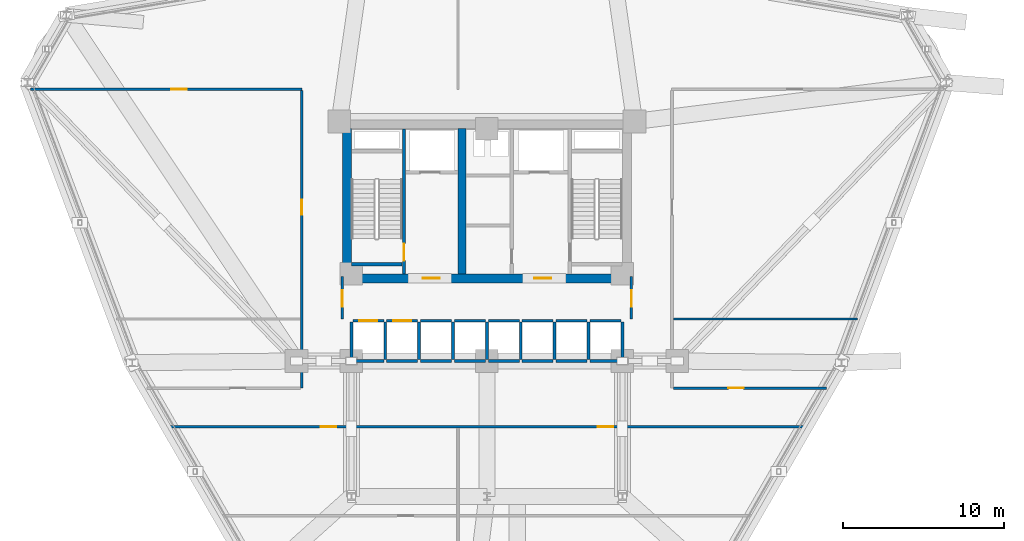
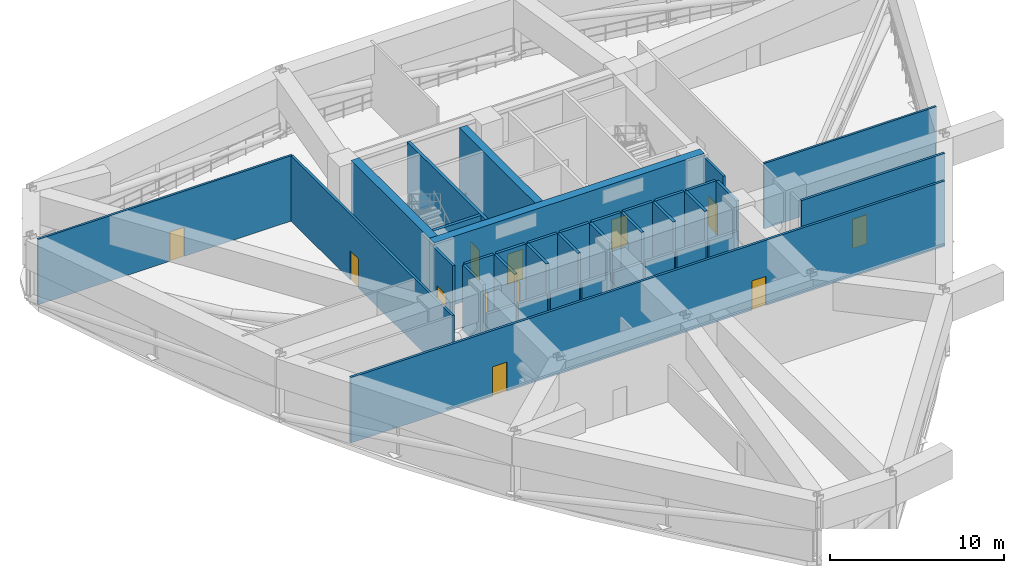
# One storey, part 8 of 12: 37 walls, 12 doors, 12 openings.
"""IFC4 building model written with IfcOpenShell, lengths in metres."""

from ifc_helpers import new_model, si_unit, derived_unit, direction, frame, frame_2d, origin, place, context, subcontext, project, spatial, rectangle, extrude, material, layer, layer_set, type_object, element, fill, save


model = new_model("IFC4")

# Units and contexts
model_context = context("Model", 3, precision=1e-05, world=origin(), true_north=direction((0.0, 1.0)))
body_context = subcontext(model_context, "Body", "Model", "MODEL_VIEW")
ifc_project = project(units=[si_unit("LENGTHUNIT", "METRE"), si_unit("AREAUNIT", "SQUARE_METRE"), si_unit("VOLUMEUNIT", "CUBIC_METRE"), si_unit("PLANEANGLEUNIT", "RADIAN"), si_unit("MASSUNIT", "GRAM", prefix="KILO"), derived_unit("THERMALTRANSMITTANCEUNIT", [(si_unit("POWERUNIT", "WATT"), 1), (si_unit("LENGTHUNIT", "METRE"), -2), (si_unit("THERMODYNAMICTEMPERATUREUNIT", "KELVIN"), -1)])], contexts=[model_context])

# Site, building, storey
site_placement = place(None, origin())
site = spatial("IfcSite", under=ifc_project, at=site_placement, CompositionType="ELEMENT")
building_placement = place(site_placement, origin())
building = spatial("IfcBuilding", under=site, at=building_placement, Name="Korsvarv Bourse and Concert Hall", CompositionType="ELEMENT")
storey_placement = place(building_placement, frame((0.0, 0.0, 59.10009765625)))
storey = spatial("IfcBuildingStorey", under=building, at=storey_placement, Name="L14", CompositionType="ELEMENT", Elevation=59.10009765625)

# Wall, opening, door
ifc_material_1 = material(Name="Concrete C50/60", Category="concrete")
ifc_layer_1 = layer(ifc_material_1, 0.3798828125)
ifc_layer_set_1 = layer_set([ifc_layer_1], Name="Concrete C50/60")
wall_type_1 = type_object("IfcWallType", Name="WL-CORE-380", PredefinedType="SHEAR", material=ifc_layer_set_1)
wall_1_placement = place(storey_placement, frame((30.860107421875, 37.81005859375, 0.0), z_axis=(0.0, 0.0, 1.0), x_axis=(0.0, 1.0, 0.0)))
wall_1 = element("IfcWall", 1, at=wall_1_placement, inside=storey, type_object=wall_type_1, Name="L14 stair shaft structural wall W-L14-ST1-E", PredefinedType="SHEAR", context=body_context, shape_type="SweptSolid", body=[
    extrude(rectangle(XDim=8.97998046875, YDim=0.199951171875, at=frame_2d((4.489990234375, 0.0))), origin(), (0.0, 0.0, 1.0), 4.7998046875),
])
opening_1_placement = place(wall_1_placement, frame((0.820068359375, 0.0, 0.0)))
opening_1 = element("IfcOpeningElement", 2, at=opening_1_placement, cuts=wall_1, Name="Opening D-01", PredefinedType="OPENING", context=body_context, shape_type="SweptSolid", body=[
    extrude(rectangle(XDim=1.050048828125, YDim=2.10009765625, at=frame_2d((0.52490234375, 1.050048828125))), frame((0.0, 0.10986328125, 0.0), z_axis=(0.0, -1.0, 0.0), x_axis=(1.0, 0.0, 0.0)), (0.0, 0.0, 1.0), 0.219970703125),
])
ifc_material_2 = material(Name="Steel S355 fire door", Category="steel")
door_type_1 = type_object("IfcDoorType", Name="DR-FD60", OperationType="NOTDEFINED", PredefinedType="DOOR", material=ifc_material_2)
door_1_placement = place(opening_1_placement, origin())
door_1 = element("IfcDoor", 3, at=door_1_placement, inside=storey, type_object=door_type_1, Name="L14 interior door DR-L14-ST1", OperationType="SINGLE_SWING_RIGHT", OverallHeight=2.10009765625, OverallWidth=1.050048828125, PredefinedType="DOOR", context=body_context, shape_type="SweptSolid", body=[
    extrude(rectangle(XDim=1.050048828125, YDim=2.10009765625, at=frame_2d((0.52490234375, 1.050048828125))), frame((0.0, 0.02490234375, 0.0), z_axis=(0.0, -1.0, 0.0), x_axis=(1.0, 0.0, 0.0)), (0.0, 0.0, 1.0), 0.050048828125),
])
fill(opening_1, door_1)

# Wall
wall_2_placement = place(storey_placement, frame((27.610107421875, 38.39990234375, 0.0), z_axis=(0.0, 0.0, 1.0), x_axis=(1.0, 0.0, 0.0)))
element("IfcWall", 4, at=wall_2_placement, inside=storey, type_object=wall_type_1, Name="L14 stair shaft structural wall W-L14-ST1-S", PredefinedType="SHEAR", context=body_context, shape_type="SweptSolid", body=[
    extrude(rectangle(XDim=3.139892578125, YDim=0.199951171875, at=frame_2d((1.56982421875, 0.0))), origin(), (0.0, 0.0, 1.0), 4.7998046875),
])

# Wall, openings, doors
ifc_material_3 = material(Name="Concrete C60/75", Category="concrete")
ifc_layer_2 = layer(ifc_material_3, 0.550048828125)
ifc_layer_set_2 = layer_set([ifc_layer_2], Name="Concrete C60/75")
wall_type_2 = type_object("IfcWallType", Name="WL-CORE-550", PredefinedType="SHEAR", material=ifc_layer_set_2)
wall_3_placement = place(storey_placement, frame((27.050048828125, 37.52490234375, 0.0), z_axis=(0.0, 0.0, 1.0), x_axis=(1.0, 0.0, 0.0)))
wall_3 = element("IfcWall", 5, at=wall_3_placement, inside=storey, type_object=wall_type_2, Name="L14 South Core Shear Wall", PredefinedType="SHEAR", context=body_context, shape_type="SweptSolid", body=[
    extrude(rectangle(XDim=17.89990234375, YDim=0.550048828125, at=frame_2d((8.949951171875, 0.0))), origin(), (0.0, 0.0, 1.0), 4.7998046875),
])
opening_2_placement = place(wall_3_placement, frame((4.97509765625, 0.0, 0.0)))
opening_2 = element("IfcOpeningElement", 6, at=opening_2_placement, cuts=wall_3, Name="Opening D-01", PredefinedType="OPENING", context=body_context, shape_type="SweptSolid", body=[
    extrude(rectangle(XDim=1.050048828125, YDim=2.10009765625, at=frame_2d((0.52490234375, 1.050048828125))), frame((0.0, 0.28515625, 0.0), z_axis=(0.0, -1.0, 0.0), x_axis=(1.0, 0.0, 0.0)), (0.0, 0.0, 1.0), 0.570068359375),
])
opening_3_placement = place(wall_3_placement, frame((11.875, 0.0, 0.0)))
opening_3 = element("IfcOpeningElement", 7, at=opening_3_placement, cuts=wall_3, Name="Opening D-01", PredefinedType="OPENING", context=body_context, shape_type="SweptSolid", body=[
    extrude(rectangle(XDim=1.050048828125, YDim=2.10009765625, at=frame_2d((0.52490234375, 1.050048828125))), frame((0.0, 0.28515625, 0.0), z_axis=(0.0, -1.0, 0.0), x_axis=(1.0, 0.0, 0.0)), (0.0, 0.0, 1.0), 0.570068359375),
])
door_2_placement = place(opening_2_placement, frame((1.050048828125, 0.0, 0.0), z_axis=(0.0, 0.0, 1.0), x_axis=(-1.0, 0.0, 0.0)))
door_2 = element("IfcDoor", 8, at=door_2_placement, inside=storey, type_object=door_type_1, Name="L14 firefighting lobby fire door DR-L14-FFLW", OperationType="SINGLE_SWING_LEFT", OverallHeight=2.10009765625, OverallWidth=1.050048828125, PredefinedType="DOOR", context=body_context, shape_type="SweptSolid", body=[
    extrude(rectangle(XDim=1.050048828125, YDim=2.10009765625, at=frame_2d((0.52490234375, 1.050048828125))), frame((0.0, 0.02490234375, 0.0), z_axis=(0.0, -1.0, 0.0), x_axis=(1.0, 0.0, 0.0)), (0.0, 0.0, 1.0), 0.050048828125),
])
fill(opening_2, door_2)
door_3_placement = place(opening_3_placement, frame((1.050048828125, 0.0, 0.0), z_axis=(0.0, 0.0, 1.0), x_axis=(-1.0, 0.0, 0.0)))
door_3 = element("IfcDoor", 9, at=door_3_placement, inside=storey, type_object=door_type_1, Name="L14 firefighting lobby fire door DR-L14-FFLE", OperationType="SINGLE_SWING_RIGHT", OverallHeight=2.10009765625, OverallWidth=1.050048828125, PredefinedType="DOOR", context=body_context, shape_type="SweptSolid", body=[
    extrude(rectangle(XDim=1.050048828125, YDim=2.10009765625, at=frame_2d((0.52490234375, 1.050048828125))), frame((0.0, 0.02490234375, 0.0), z_axis=(0.0, -1.0, 0.0), x_axis=(1.0, 0.0, 0.0)), (0.0, 0.0, 1.0), 0.050048828125),
])
fill(opening_3, door_3)

# Wall
wall_4_placement = place(storey_placement, frame((27.324951171875, 37.800048828125, 0.0), z_axis=(0.0, 0.0, 1.0), x_axis=(0.0, 1.0, 0.0)))
element("IfcWall", 10, at=wall_4_placement, inside=storey, type_object=wall_type_2, Name="L14 West Core Shear Wall", PredefinedType="SHEAR", context=body_context, shape_type="SweptSolid", body=[
    extrude(rectangle(XDim=9.0, YDim=0.550048828125, at=frame_2d((4.5, 0.0))), origin(), (0.0, 0.0, 1.0), 4.7998046875),
])

# Wall, opening, door
ifc_material_4 = material(Name="Double-stud fire-rated acoustic partition", Category="gypsum")
ifc_layer_3 = layer(ifc_material_4, 0.159912109375)
ifc_layer_set_3 = layer_set([ifc_layer_3], Name="Double-stud fire-rated acoustic partition")
wall_type_3 = type_object("IfcWallType", Name="WL-INT-EI60", PredefinedType="PARTITIONING", material=ifc_layer_set_3)
wall_5_placement = place(storey_placement, frame((27.0400390625, 35.0, 0.0), z_axis=(0.0, 0.0, 1.0), x_axis=(0.0, 1.0, 0.0)))
wall_5 = element("IfcWall", 11, at=wall_5_placement, inside=storey, type_object=wall_type_3, Name="L14 interior partition wall W-L14-LOB-W", PredefinedType="PARTITIONING", context=body_context, shape_type="SweptSolid", body=[
    extrude(rectangle(XDim=2.64990234375, YDim=0.159912109375, at=frame_2d((1.324951171875, 0.0))), origin(), (0.0, 0.0, 1.0), 4.579833984375),
])
opening_4_placement = place(wall_5_placement, frame((0.75, 0.0, 0.0)))
opening_4 = element("IfcOpeningElement", 12, at=opening_4_placement, cuts=wall_5, Name="Opening D-01", PredefinedType="OPENING", context=body_context, shape_type="SweptSolid", body=[
    extrude(rectangle(XDim=1.050048828125, YDim=2.10009765625, at=frame_2d((0.52490234375, 1.050048828125))), frame((0.0, 0.08984375, 0.0), z_axis=(0.0, -1.0, 0.0), x_axis=(1.0, 0.0, 0.0)), (0.0, 0.0, 1.0), 0.179931640625),
])
door_4_placement = place(opening_4_placement, frame((1.050048828125, 0.0, 0.0), z_axis=(0.0, 0.0, 1.0), x_axis=(-1.0, 0.0, 0.0)))
door_4 = element("IfcDoor", 13, at=door_4_placement, inside=storey, type_object=door_type_1, Name="L14 interior door DR-L14-LOBW", OperationType="SINGLE_SWING_LEFT", OverallHeight=2.10009765625, OverallWidth=1.050048828125, PredefinedType="DOOR", context=body_context, shape_type="SweptSolid", body=[
    extrude(rectangle(XDim=1.050048828125, YDim=2.10009765625, at=frame_2d((0.52490234375, 1.050048828125))), frame((0.0, 0.02490234375, 0.0), z_axis=(0.0, -1.0, 0.0), x_axis=(1.0, 0.0, 0.0)), (0.0, 0.0, 1.0), 0.050048828125),
])
fill(opening_4, door_4)

wall_6_placement = place(storey_placement, frame((44.9599609375, 35.0, 0.0), z_axis=(0.0, 0.0, 1.0), x_axis=(0.0, 1.0, 0.0)))
wall_6 = element("IfcWall", 14, at=wall_6_placement, inside=storey, type_object=wall_type_3, Name="L14 interior partition wall W-L14-LOB-E", PredefinedType="PARTITIONING", context=body_context, shape_type="SweptSolid", body=[
    extrude(rectangle(XDim=2.64990234375, YDim=0.159912109375, at=frame_2d((1.324951171875, 0.0))), origin(), (0.0, 0.0, 1.0), 4.579833984375),
])
opening_5_placement = place(wall_6_placement, frame((0.75, 0.0, 0.0)))
opening_5 = element("IfcOpeningElement", 15, at=opening_5_placement, cuts=wall_6, Name="Opening D-01", PredefinedType="OPENING", context=body_context, shape_type="SweptSolid", body=[
    extrude(rectangle(XDim=1.050048828125, YDim=2.10009765625, at=frame_2d((0.52490234375, 1.050048828125))), frame((0.0, 0.08984375, 0.0), z_axis=(0.0, -1.0, 0.0), x_axis=(1.0, 0.0, 0.0)), (0.0, 0.0, 1.0), 0.179931640625),
])
door_5_placement = place(opening_5_placement, origin())
door_5 = element("IfcDoor", 16, at=door_5_placement, inside=storey, type_object=door_type_1, Name="L14 interior door DR-L14-LOBE", OperationType="SINGLE_SWING_RIGHT", OverallHeight=2.10009765625, OverallWidth=1.050048828125, PredefinedType="DOOR", context=body_context, shape_type="SweptSolid", body=[
    extrude(rectangle(XDim=1.050048828125, YDim=2.10009765625, at=frame_2d((0.52490234375, 1.050048828125))), frame((0.0, 0.02490234375, 0.0), z_axis=(0.0, -1.0, 0.0), x_axis=(1.0, 0.0, 0.0)), (0.0, 0.0, 1.0), 0.050048828125),
])
fill(opening_5, door_5)

# Wall, openings, doors
wall_7_placement = place(storey_placement, frame((16.330078125, 28.324951171875, 0.0), z_axis=(0.0, 0.0, 1.0), x_axis=(1.0, 0.0, 0.0)))
wall_7 = element("IfcWall", 17, at=wall_7_placement, inside=storey, type_object=wall_type_3, Name="L14 interior partition wall W-L14-RCOR-01", PredefinedType="PARTITIONING", context=body_context, shape_type="SweptSolid", body=[
    extrude(rectangle(XDim=39.33984375, YDim=0.159912109375, at=frame_2d((19.669921875, 0.0))), origin(), (0.0, 0.0, 1.0), 4.579833984375),
])
opening_6_placement = place(wall_7_placement, frame((9.381591796875, 0.0, 0.0)))
opening_6 = element("IfcOpeningElement", 18, at=opening_6_placement, cuts=wall_7, Name="Opening D-02", PredefinedType="OPENING", context=body_context, shape_type="SweptSolid", body=[
    extrude(rectangle(XDim=0.949951171875, YDim=2.050048828125, at=frame_2d((0.47509765625, 1.02490234375))), frame((0.0, 0.08984375, 0.0), z_axis=(0.0, -1.0, 0.0), x_axis=(1.0, 0.0, 0.0)), (0.0, 0.0, 1.0), 0.179931640625),
])
opening_7_placement = place(wall_7_placement, frame((26.555419921875, 0.0, 0.0)))
opening_7 = element("IfcOpeningElement", 19, at=opening_7_placement, cuts=wall_7, Name="Opening D-02", PredefinedType="OPENING", context=body_context, shape_type="SweptSolid", body=[
    extrude(rectangle(XDim=0.949951171875, YDim=2.050048828125, at=frame_2d((0.47509765625, 1.02490234375))), frame((0.0, 0.08984375, 0.0), z_axis=(0.0, -1.0, 0.0), x_axis=(1.0, 0.0, 0.0)), (0.0, 0.0, 1.0), 0.179931640625),
])
ifc_material_5 = material(Name="Timber and steel acoustic fire door", Category="wood")
door_type_2 = type_object("IfcDoorType", Name="DR-FD30", OperationType="NOTDEFINED", PredefinedType="DOOR", material=ifc_material_5)
door_6_placement = place(opening_6_placement, origin())
door_6 = element("IfcDoor", 20, at=door_6_placement, inside=storey, type_object=door_type_2, Name="L14 interior door DR-L14-RCOR-RM99", OperationType="SINGLE_SWING_LEFT", OverallHeight=2.050048828125, OverallWidth=0.949951171875, PredefinedType="DOOR", context=body_context, shape_type="SweptSolid", body=[
    extrude(rectangle(XDim=0.949951171875, YDim=2.050048828125, at=frame_2d((0.47509765625, 1.02490234375))), frame((0.0, 0.02490234375, 0.0), z_axis=(0.0, -1.0, 0.0), x_axis=(1.0, 0.0, 0.0)), (0.0, 0.0, 1.0), 0.050048828125),
])
fill(opening_6, door_6)
door_7_placement = place(opening_7_placement, origin())
door_7 = element("IfcDoor", 21, at=door_7_placement, inside=storey, type_object=door_type_2, Name="L14 interior door DR-L14-RCOR-RM1010", OperationType="SINGLE_SWING_RIGHT", OverallHeight=2.050048828125, OverallWidth=0.949951171875, PredefinedType="DOOR", context=body_context, shape_type="SweptSolid", body=[
    extrude(rectangle(XDim=0.949951171875, YDim=2.050048828125, at=frame_2d((0.47509765625, 1.02490234375))), frame((0.0, 0.02490234375, 0.0), z_axis=(0.0, -1.0, 0.0), x_axis=(1.0, 0.0, 0.0)), (0.0, 0.0, 1.0), 0.050048828125),
])
fill(opening_7, door_7)

# Wall, opening, door
wall_8_placement = place(storey_placement, frame((24.52490234375, 30.719970703125, 0.0), z_axis=(0.0, 0.0, 1.0), x_axis=(0.0, 1.0, 0.0)))
wall_8 = element("IfcWall", 22, at=wall_8_placement, inside=storey, type_object=wall_type_3, Name="L14 interior partition wall W-L14-RCOR-03", PredefinedType="PARTITIONING", context=body_context, shape_type="SweptSolid", body=[
    extrude(rectangle(XDim=18.463134765625, YDim=0.159912109375, at=frame_2d((9.2314453125, 0.0))), origin(), (0.0, 0.0, 1.0), 4.579833984375),
])
opening_8_placement = place(wall_8_placement, frame((10.73388671875, 0.0, 0.0)))
opening_8 = element("IfcOpeningElement", 23, at=opening_8_placement, cuts=wall_8, Name="Opening D-02", PredefinedType="OPENING", context=body_context, shape_type="SweptSolid", body=[
    extrude(rectangle(XDim=0.949951171875, YDim=2.050048828125, at=frame_2d((0.47509765625, 1.02490234375))), frame((0.0, 0.08984375, 0.0), z_axis=(0.0, -1.0, 0.0), x_axis=(1.0, 0.0, 0.0)), (0.0, 0.0, 1.0), 0.179931640625),
])
door_8_placement = place(opening_8_placement, origin())
door_8 = element("IfcDoor", 24, at=door_8_placement, inside=storey, type_object=door_type_2, Name="L14 interior door DR-L14-RCOR-REFW3", OperationType="SINGLE_SWING_RIGHT", OverallHeight=2.050048828125, OverallWidth=0.949951171875, PredefinedType="DOOR", context=body_context, shape_type="SweptSolid", body=[
    extrude(rectangle(XDim=0.949951171875, YDim=2.050048828125, at=frame_2d((0.47509765625, 1.02490234375))), frame((0.0, 0.02490234375, 0.0), z_axis=(0.0, -1.0, 0.0), x_axis=(1.0, 0.0, 0.0)), (0.0, 0.0, 1.0), 0.050048828125),
])
fill(opening_8, door_8)

wall_9_placement = place(storey_placement, frame((47.556884765625, 30.72509765625, 0.0), z_axis=(0.0, 0.0, 1.0), x_axis=(1.0, 0.0, 0.0)))
wall_9 = element("IfcWall", 25, at=wall_9_placement, inside=storey, type_object=wall_type_3, Name="L14 interior partition wall W-L14-RCOR-05", PredefinedType="PARTITIONING", context=body_context, shape_type="SweptSolid", body=[
    extrude(rectangle(XDim=9.498779296875, YDim=0.159912109375, at=frame_2d((4.74951171875, 0.0))), origin(), (0.0, 0.0, 1.0), 4.579833984375),
])
opening_9_placement = place(wall_9_placement, frame((3.412353515625, 0.0, 0.0)))
opening_9 = element("IfcOpeningElement", 26, at=opening_9_placement, cuts=wall_9, Name="Opening D-02", PredefinedType="OPENING", context=body_context, shape_type="SweptSolid", body=[
    extrude(rectangle(XDim=0.949951171875, YDim=2.050048828125, at=frame_2d((0.47509765625, 1.02490234375))), frame((0.0, 0.08984375, 0.0), z_axis=(0.0, -1.0, 0.0), x_axis=(1.0, 0.0, 0.0)), (0.0, 0.0, 1.0), 0.179931640625),
])
door_9_placement = place(opening_9_placement, origin())
door_9 = element("IfcDoor", 27, at=door_9_placement, inside=storey, type_object=door_type_2, Name="L14 interior door DR-L14-RCOR-PL21", OperationType="SINGLE_SWING_RIGHT", OverallHeight=2.050048828125, OverallWidth=0.949951171875, PredefinedType="DOOR", context=body_context, shape_type="SweptSolid", body=[
    extrude(rectangle(XDim=0.949951171875, YDim=2.050048828125, at=frame_2d((0.47509765625, 1.02490234375))), frame((0.0, 0.02490234375, 0.0), z_axis=(0.0, -1.0, 0.0), x_axis=(1.0, 0.0, 0.0)), (0.0, 0.0, 1.0), 0.050048828125),
])
fill(opening_9, door_9)

ifc_material_6 = material(Name="Gypsum-clad autoclaved concrete shaft wall C30/37", Category="concrete")
ifc_layer_4 = layer(ifc_material_6, 0.179931640625)
ifc_layer_set_4 = layer_set([ifc_layer_4], Name="Gypsum-clad autoclaved concrete shaft wall C30/37")
wall_type_4 = type_object("IfcWallType", Name="WL-INT-EI90", PredefinedType="PARTITIONING", material=ifc_layer_set_4)
wall_10_placement = place(storey_placement, frame((27.68994140625, 34.89990234375, 0.0), z_axis=(0.0, 0.0, 1.0), x_axis=(1.0, 0.0, 0.0)))
wall_10 = element("IfcWall", 28, at=wall_10_placement, inside=storey, type_object=wall_type_4, Name="L14 interior partition wall W-L14-SHFN-PL1", PredefinedType="PARTITIONING", context=body_context, shape_type="SweptSolid", body=[
    extrude(rectangle(XDim=1.920166015625, YDim=0.179931640625, at=frame_2d((0.9599609375, 0.0))), origin(), (0.0, 0.0, 1.0), 4.579833984375),
])
opening_10_placement = place(wall_10_placement, frame((0.409912109375, 0.0, 0.0)))
opening_10 = element("IfcOpeningElement", 29, at=opening_10_placement, cuts=wall_10, Name="Opening LD-2", PredefinedType="OPENING", context=body_context, shape_type="SweptSolid", body=[
    extrude(rectangle(XDim=1.10009765625, YDim=2.10009765625, at=frame_2d((0.550048828125, 1.050048828125))), frame((0.0, 0.10009765625, 0.0), z_axis=(0.0, -1.0, 0.0), x_axis=(1.0, 0.0, 0.0)), (0.0, 0.0, 1.0), 0.199951171875),
])
ifc_material_7 = material(Name="Brushed stainless Steel S355 lift landing door", Category="steel")
door_type_3 = type_object("IfcDoorType", Name="DR-LIFT-P", OperationType="DOUBLE_DOOR_SLIDING", PredefinedType="DOOR", material=ifc_material_7)
door_10_placement = place(opening_10_placement, origin())
door_10 = element("IfcDoor", 30, at=door_10_placement, inside=storey, type_object=door_type_3, Name="L14 lift sliding landing door LD-L14-PL1", OperationType="DOUBLE_DOOR_SLIDING", OverallHeight=2.10009765625, OverallWidth=1.10009765625, PredefinedType="DOOR", context=body_context, shape_type="SweptSolid", body=[
    extrude(rectangle(XDim=1.10009765625, YDim=2.10009765625, at=frame_2d((0.550048828125, 1.050048828125))), frame((0.0, 0.02490234375, 0.0), z_axis=(0.0, -1.0, 0.0), x_axis=(1.0, 0.0, 0.0)), (0.0, 0.0, 1.0), 0.050048828125),
])
fill(opening_10, door_10)

# Walls
wall_11_placement = place(storey_placement, frame((27.68994140625, 32.39990234375, 0.0), z_axis=(0.0, 0.0, 1.0), x_axis=(1.0, 0.0, 0.0)))
element("IfcWall", 31, at=wall_11_placement, inside=storey, type_object=wall_type_4, Name="L14 interior partition wall W-L14-SHFS-PL1", PredefinedType="PARTITIONING", context=body_context, shape_type="SweptSolid", body=[
    extrude(rectangle(XDim=1.920166015625, YDim=0.179931640625, at=frame_2d((0.9599609375, 0.0))), origin(), (0.0, 0.0, 1.0), 2.56982421875),
])
wall_12_placement = place(storey_placement, frame((27.60009765625, 32.489990234375, 0.0), z_axis=(0.0, 0.0, 1.0), x_axis=(0.0, 1.0, 0.0)))
element("IfcWall", 32, at=wall_12_placement, inside=storey, type_object=wall_type_4, Name="L14 interior partition wall W-L14-SHFW-PL1", PredefinedType="PARTITIONING", context=body_context, shape_type="SweptSolid", body=[
    extrude(rectangle(XDim=2.320068359375, YDim=0.179931640625, at=frame_2d((1.16015625, 0.0))), origin(), (0.0, 0.0, 1.0), 4.579833984375),
])

# Wall, opening, door
wall_13_placement = place(storey_placement, frame((29.7900390625, 34.89990234375, 0.0), z_axis=(0.0, 0.0, 1.0), x_axis=(1.0, 0.0, 0.0)))
wall_13 = element("IfcWall", 33, at=wall_13_placement, inside=storey, type_object=wall_type_4, Name="L14 interior partition wall W-L14-SHFN-PL2", PredefinedType="PARTITIONING", context=body_context, shape_type="SweptSolid", body=[
    extrude(rectangle(XDim=1.919921875, YDim=0.179931640625, at=frame_2d((0.9599609375, 0.0))), origin(), (0.0, 0.0, 1.0), 4.579833984375),
])
opening_11_placement = place(wall_13_placement, frame((0.409912109375, 0.0, 0.0)))
opening_11 = element("IfcOpeningElement", 34, at=opening_11_placement, cuts=wall_13, Name="Opening LD-2", PredefinedType="OPENING", context=body_context, shape_type="SweptSolid", body=[
    extrude(rectangle(XDim=1.10009765625, YDim=2.10009765625, at=frame_2d((0.550048828125, 1.050048828125))), frame((0.0, 0.10009765625, 0.0), z_axis=(0.0, -1.0, 0.0), x_axis=(1.0, 0.0, 0.0)), (0.0, 0.0, 1.0), 0.199951171875),
])
door_11_placement = place(opening_11_placement, origin())
door_11 = element("IfcDoor", 35, at=door_11_placement, inside=storey, type_object=door_type_3, Name="L14 lift sliding landing door LD-L14-PL2", OperationType="DOUBLE_DOOR_SLIDING", OverallHeight=2.10009765625, OverallWidth=1.10009765625, PredefinedType="DOOR", context=body_context, shape_type="SweptSolid", body=[
    extrude(rectangle(XDim=1.10009765625, YDim=2.10009765625, at=frame_2d((0.550048828125, 1.050048828125))), frame((0.0, 0.02490234375, 0.0), z_axis=(0.0, -1.0, 0.0), x_axis=(1.0, 0.0, 0.0)), (0.0, 0.0, 1.0), 0.050048828125),
])
fill(opening_11, door_11)

# Walls
wall_14_placement = place(storey_placement, frame((29.7900390625, 32.39990234375, 0.0), z_axis=(0.0, 0.0, 1.0), x_axis=(1.0, 0.0, 0.0)))
element("IfcWall", 36, at=wall_14_placement, inside=storey, type_object=wall_type_4, Name="L14 interior partition wall W-L14-SHFS-PL2", PredefinedType="PARTITIONING", context=body_context, shape_type="SweptSolid", body=[
    extrude(rectangle(XDim=1.919921875, YDim=0.179931640625, at=frame_2d((0.9599609375, 0.0))), origin(), (0.0, 0.0, 1.0), 2.56982421875),
])
wall_15_placement = place(storey_placement, frame((29.699951171875, 32.489990234375, 0.0), z_axis=(0.0, 0.0, 1.0), x_axis=(0.0, 1.0, 0.0)))
element("IfcWall", 37, at=wall_15_placement, inside=storey, type_object=wall_type_4, Name="L14 interior partition wall W-L14-SHFW-PL2", PredefinedType="PARTITIONING", context=body_context, shape_type="SweptSolid", body=[
    extrude(rectangle(XDim=2.320068359375, YDim=0.179931640625, at=frame_2d((1.16015625, 0.0))), origin(), (0.0, 0.0, 1.0), 4.579833984375),
])
wall_16_placement = place(storey_placement, frame((31.889892578125, 34.89990234375, 0.0), z_axis=(0.0, 0.0, 1.0), x_axis=(1.0, 0.0, 0.0)))
element("IfcWall", 38, at=wall_16_placement, inside=storey, type_object=wall_type_4, Name="L14 interior partition wall W-L14-SHFN-PM1", PredefinedType="PARTITIONING", context=body_context, shape_type="SweptSolid", body=[
    extrude(rectangle(XDim=1.920166015625, YDim=0.179931640625, at=frame_2d((0.9599609375, 0.0))), origin(), (0.0, 0.0, 1.0), 4.579833984375),
])
wall_17_placement = place(storey_placement, frame((31.889892578125, 32.39990234375, 0.0), z_axis=(0.0, 0.0, 1.0), x_axis=(1.0, 0.0, 0.0)))
element("IfcWall", 39, at=wall_17_placement, inside=storey, type_object=wall_type_4, Name="L14 interior partition wall W-L14-SHFS-PM1", PredefinedType="PARTITIONING", context=body_context, shape_type="SweptSolid", body=[
    extrude(rectangle(XDim=1.920166015625, YDim=0.179931640625, at=frame_2d((0.9599609375, 0.0))), origin(), (0.0, 0.0, 1.0), 2.56982421875),
])
wall_18_placement = place(storey_placement, frame((31.800048828125, 32.489990234375, 0.0), z_axis=(0.0, 0.0, 1.0), x_axis=(0.0, 1.0, 0.0)))
element("IfcWall", 40, at=wall_18_placement, inside=storey, type_object=wall_type_4, Name="L14 interior partition wall W-L14-SHFW-PM1", PredefinedType="PARTITIONING", context=body_context, shape_type="SweptSolid", body=[
    extrude(rectangle(XDim=2.320068359375, YDim=0.179931640625, at=frame_2d((1.16015625, 0.0))), origin(), (0.0, 0.0, 1.0), 4.579833984375),
])
wall_19_placement = place(storey_placement, frame((33.989990234375, 34.89990234375, 0.0), z_axis=(0.0, 0.0, 1.0), x_axis=(1.0, 0.0, 0.0)))
element("IfcWall", 41, at=wall_19_placement, inside=storey, type_object=wall_type_4, Name="L14 interior partition wall W-L14-SHFN-PM2", PredefinedType="PARTITIONING", context=body_context, shape_type="SweptSolid", body=[
    extrude(rectangle(XDim=1.919921875, YDim=0.179931640625, at=frame_2d((0.9599609375, 0.0))), origin(), (0.0, 0.0, 1.0), 4.579833984375),
])
wall_20_placement = place(storey_placement, frame((33.989990234375, 32.39990234375, 0.0), z_axis=(0.0, 0.0, 1.0), x_axis=(1.0, 0.0, 0.0)))
element("IfcWall", 42, at=wall_20_placement, inside=storey, type_object=wall_type_4, Name="L14 interior partition wall W-L14-SHFS-PM2", PredefinedType="PARTITIONING", context=body_context, shape_type="SweptSolid", body=[
    extrude(rectangle(XDim=1.919921875, YDim=0.179931640625, at=frame_2d((0.9599609375, 0.0))), origin(), (0.0, 0.0, 1.0), 2.56982421875),
])
wall_21_placement = place(storey_placement, frame((33.89990234375, 32.489990234375, 0.0), z_axis=(0.0, 0.0, 1.0), x_axis=(0.0, 1.0, 0.0)))
element("IfcWall", 43, at=wall_21_placement, inside=storey, type_object=wall_type_4, Name="L14 interior partition wall W-L14-SHFW-PM2", PredefinedType="PARTITIONING", context=body_context, shape_type="SweptSolid", body=[
    extrude(rectangle(XDim=2.320068359375, YDim=0.179931640625, at=frame_2d((1.16015625, 0.0))), origin(), (0.0, 0.0, 1.0), 4.579833984375),
])
wall_22_placement = place(storey_placement, frame((36.090087890625, 34.89990234375, 0.0), z_axis=(0.0, 0.0, 1.0), x_axis=(1.0, 0.0, 0.0)))
element("IfcWall", 44, at=wall_22_placement, inside=storey, type_object=wall_type_4, Name="L14 interior partition wall W-L14-SHFN-PH1", PredefinedType="PARTITIONING", context=body_context, shape_type="SweptSolid", body=[
    extrude(rectangle(XDim=1.919921875, YDim=0.179931640625, at=frame_2d((0.9599609375, 0.0))), origin(), (0.0, 0.0, 1.0), 4.579833984375),
])
wall_23_placement = place(storey_placement, frame((36.090087890625, 32.39990234375, 0.0), z_axis=(0.0, 0.0, 1.0), x_axis=(1.0, 0.0, 0.0)))
element("IfcWall", 45, at=wall_23_placement, inside=storey, type_object=wall_type_4, Name="L14 interior partition wall W-L14-SHFS-PH1", PredefinedType="PARTITIONING", context=body_context, shape_type="SweptSolid", body=[
    extrude(rectangle(XDim=1.919921875, YDim=0.179931640625, at=frame_2d((0.9599609375, 0.0))), origin(), (0.0, 0.0, 1.0), 2.56982421875),
])
wall_24_placement = place(storey_placement, frame((36.0, 32.489990234375, 0.0), z_axis=(0.0, 0.0, 1.0), x_axis=(0.0, 1.0, 0.0)))
element("IfcWall", 46, at=wall_24_placement, inside=storey, type_object=wall_type_4, Name="L14 interior partition wall W-L14-SHFW-PH1", PredefinedType="PARTITIONING", context=body_context, shape_type="SweptSolid", body=[
    extrude(rectangle(XDim=2.320068359375, YDim=0.179931640625, at=frame_2d((1.16015625, 0.0))), origin(), (0.0, 0.0, 1.0), 4.579833984375),
])
wall_25_placement = place(storey_placement, frame((38.18994140625, 34.89990234375, 0.0), z_axis=(0.0, 0.0, 1.0), x_axis=(1.0, 0.0, 0.0)))
element("IfcWall", 47, at=wall_25_placement, inside=storey, type_object=wall_type_4, Name="L14 interior partition wall W-L14-SHFN-PH2", PredefinedType="PARTITIONING", context=body_context, shape_type="SweptSolid", body=[
    extrude(rectangle(XDim=1.920166015625, YDim=0.179931640625, at=frame_2d((0.9599609375, 0.0))), origin(), (0.0, 0.0, 1.0), 4.579833984375),
])
wall_26_placement = place(storey_placement, frame((38.18994140625, 32.39990234375, 0.0), z_axis=(0.0, 0.0, 1.0), x_axis=(1.0, 0.0, 0.0)))
element("IfcWall", 48, at=wall_26_placement, inside=storey, type_object=wall_type_4, Name="L14 interior partition wall W-L14-SHFS-PH2", PredefinedType="PARTITIONING", context=body_context, shape_type="SweptSolid", body=[
    extrude(rectangle(XDim=1.920166015625, YDim=0.179931640625, at=frame_2d((0.9599609375, 0.0))), origin(), (0.0, 0.0, 1.0), 2.56982421875),
])
wall_27_placement = place(storey_placement, frame((38.10009765625, 32.489990234375, 0.0), z_axis=(0.0, 0.0, 1.0), x_axis=(0.0, 1.0, 0.0)))
element("IfcWall", 49, at=wall_27_placement, inside=storey, type_object=wall_type_4, Name="L14 interior partition wall W-L14-SHFW-PH2", PredefinedType="PARTITIONING", context=body_context, shape_type="SweptSolid", body=[
    extrude(rectangle(XDim=2.320068359375, YDim=0.179931640625, at=frame_2d((1.16015625, 0.0))), origin(), (0.0, 0.0, 1.0), 4.579833984375),
])
wall_28_placement = place(storey_placement, frame((40.2900390625, 34.89990234375, 0.0), z_axis=(0.0, 0.0, 1.0), x_axis=(1.0, 0.0, 0.0)))
element("IfcWall", 50, at=wall_28_placement, inside=storey, type_object=wall_type_4, Name="L14 interior partition wall W-L14-SHFN-PO1", PredefinedType="PARTITIONING", context=body_context, shape_type="SweptSolid", body=[
    extrude(rectangle(XDim=1.919921875, YDim=0.179931640625, at=frame_2d((0.9599609375, 0.0))), origin(), (0.0, 0.0, 1.0), 4.579833984375),
])
wall_29_placement = place(storey_placement, frame((40.2900390625, 32.39990234375, 0.0), z_axis=(0.0, 0.0, 1.0), x_axis=(1.0, 0.0, 0.0)))
element("IfcWall", 51, at=wall_29_placement, inside=storey, type_object=wall_type_4, Name="L14 interior partition wall W-L14-SHFS-PO1", PredefinedType="PARTITIONING", context=body_context, shape_type="SweptSolid", body=[
    extrude(rectangle(XDim=1.919921875, YDim=0.179931640625, at=frame_2d((0.9599609375, 0.0))), origin(), (0.0, 0.0, 1.0), 2.56982421875),
])
wall_30_placement = place(storey_placement, frame((40.199951171875, 32.489990234375, 0.0), z_axis=(0.0, 0.0, 1.0), x_axis=(0.0, 1.0, 0.0)))
element("IfcWall", 52, at=wall_30_placement, inside=storey, type_object=wall_type_4, Name="L14 interior partition wall W-L14-SHFW-PO1", PredefinedType="PARTITIONING", context=body_context, shape_type="SweptSolid", body=[
    extrude(rectangle(XDim=2.320068359375, YDim=0.179931640625, at=frame_2d((1.16015625, 0.0))), origin(), (0.0, 0.0, 1.0), 4.579833984375),
])
wall_31_placement = place(storey_placement, frame((42.389892578125, 34.89990234375, 0.0), z_axis=(0.0, 0.0, 1.0), x_axis=(1.0, 0.0, 0.0)))
element("IfcWall", 53, at=wall_31_placement, inside=storey, type_object=wall_type_4, Name="L14 interior partition wall W-L14-SHFN-PO2", PredefinedType="PARTITIONING", context=body_context, shape_type="SweptSolid", body=[
    extrude(rectangle(XDim=1.920166015625, YDim=0.179931640625, at=frame_2d((0.9599609375, 0.0))), origin(), (0.0, 0.0, 1.0), 4.579833984375),
])
wall_32_placement = place(storey_placement, frame((42.389892578125, 32.39990234375, 0.0), z_axis=(0.0, 0.0, 1.0), x_axis=(1.0, 0.0, 0.0)))
element("IfcWall", 54, at=wall_32_placement, inside=storey, type_object=wall_type_4, Name="L14 interior partition wall W-L14-SHFS-PO2", PredefinedType="PARTITIONING", context=body_context, shape_type="SweptSolid", body=[
    extrude(rectangle(XDim=1.920166015625, YDim=0.179931640625, at=frame_2d((0.9599609375, 0.0))), origin(), (0.0, 0.0, 1.0), 2.56982421875),
])
for number, where, z_axis, x_axis, name in (
    (55, (42.300048828125, 32.489990234375, 0.0), (0.0, 0.0, 1.0), (0.0, 1.0, 0.0), "L14 interior partition wall W-L14-SHFW-PO2"),
    (56, (44.39990234375, 32.489990234375, 0.0), (0.0, 0.0, 1.0), (0.0, 1.0, 0.0), "L14 interior partition wall W-L14-SHFE-END"),
):
    element("IfcWall", number, at=place(storey_placement, frame(where, z_axis=z_axis, x_axis=x_axis)), inside=storey, type_object=wall_type_4, Name=name, PredefinedType="PARTITIONING", context=body_context, shape_type="SweptSolid", body=[
        extrude(rectangle(XDim=2.320068359375, YDim=0.179931640625, at=frame_2d((1.16015625, 0.0))), origin(), (0.0, 0.0, 1.0), 4.579833984375),
    ])

# Wall, opening, door
ifc_material_8 = material(Name="Insulated steel-stud office acoustic partition", Category="gypsum")
ifc_layer_5 = layer(ifc_material_8, 0.139892578125)
ifc_layer_set_5 = layer_set([ifc_layer_5], Name="Insulated steel-stud office acoustic partition")
wall_type_5 = type_object("IfcWallType", Name="WL-INT-P1", PredefinedType="PARTITIONING", material=ifc_layer_set_5)
wall_33_placement = place(storey_placement, frame((7.69775390625, 49.2548828125, 0.0), z_axis=(0.0, 0.0, 1.0), x_axis=(1.0, 0.0, 0.0)))
wall_33 = element("IfcWall", 57, at=wall_33_placement, inside=storey, type_object=wall_type_5, Name="L14 interior partition wall W-L14-RCOR-09", PredefinedType="PARTITIONING", context=body_context, shape_type="SweptSolid", body=[
    extrude(rectangle(XDim=16.85546875, YDim=0.139892578125, at=frame_2d((8.427734375, 0.0))), origin(), (0.0, 0.0, 1.0), 4.579833984375),
])
opening_12_placement = place(wall_33_placement, frame((8.74755859375, 0.0, 0.0)))
opening_12 = element("IfcOpeningElement", 58, at=opening_12_placement, cuts=wall_33, Name="Opening D-03", PredefinedType="OPENING", context=body_context, shape_type="SweptSolid", body=[
    extrude(rectangle(XDim=0.949951171875, YDim=2.050048828125, at=frame_2d((0.47509765625, 1.02490234375))), frame((0.0, 0.080078125, 0.0), z_axis=(0.0, -1.0, 0.0), x_axis=(1.0, 0.0, 0.0)), (0.0, 0.0, 1.0), 0.159912109375),
])
ifc_material_9 = material(Name="Nordic oak acoustic office door", Category="wood")
door_type_4 = type_object("IfcDoorType", Name="DR-INT-1", OperationType="NOTDEFINED", PredefinedType="DOOR", material=ifc_material_9)
door_12_placement = place(opening_12_placement, origin())
door_12 = element("IfcDoor", 59, at=door_12_placement, inside=storey, type_object=door_type_4, Name="L14 interior door DR-L14-RCOR-PL54", OperationType="SINGLE_SWING_RIGHT", OverallHeight=2.050048828125, OverallWidth=0.949951171875, PredefinedType="DOOR", context=body_context, shape_type="SweptSolid", body=[
    extrude(rectangle(XDim=0.949951171875, YDim=2.050048828125, at=frame_2d((0.47509765625, 1.02490234375))), frame((0.0, 0.02490234375, 0.0), z_axis=(0.0, -1.0, 0.0), x_axis=(1.0, 0.0, 0.0)), (0.0, 0.0, 1.0), 0.050048828125),
])
fill(opening_12, door_12)

# Walls
wall_34_placement = place(storey_placement, frame((47.556884765625, 35.0048828125, 0.0), z_axis=(0.0, 0.0, 1.0), x_axis=(1.0, 0.0, 0.0)))
element("IfcWall", 60, at=wall_34_placement, inside=storey, type_object=wall_type_5, Name="L14 interior partition wall W-L14-RCOR-11", PredefinedType="PARTITIONING", context=body_context, shape_type="SweptSolid", body=[
    extrude(rectangle(XDim=11.418701171875, YDim=0.139892578125, at=frame_2d((5.70947265625, 0.0))), origin(), (0.0, 0.0, 1.0), 4.579833984375),
])
ifc_layer_6 = layer(ifc_material_3, 0.5)
ifc_layer_set_6 = layer_set([ifc_layer_6], Name="Concrete C60/75")
wall_type_6 = type_object("IfcWallType", Name="WL-OUTR-500", PredefinedType="SHEAR", material=ifc_layer_set_6)
wall_35_placement = place(storey_placement, frame((34.4599609375, 37.800048828125, 0.0), z_axis=(0.0, 0.0, 1.0), x_axis=(0.0, 1.0, 0.0)))
element("IfcWall", 61, at=wall_35_placement, inside=storey, type_object=wall_type_6, Name="L14 Core Central Outrigger Web Shear Wall", PredefinedType="SHEAR", context=body_context, shape_type="SweptSolid", body=[
    extrude(rectangle(XDim=9.0, YDim=0.5, at=frame_2d((4.5, 0.0))), origin(), (0.0, 0.0, 1.0), 4.579833984375),
])

save(model, "model.ifc")
